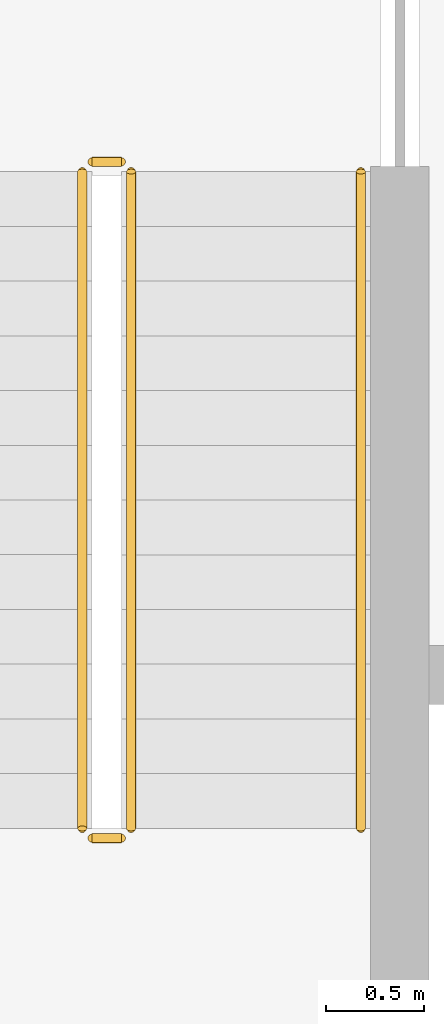
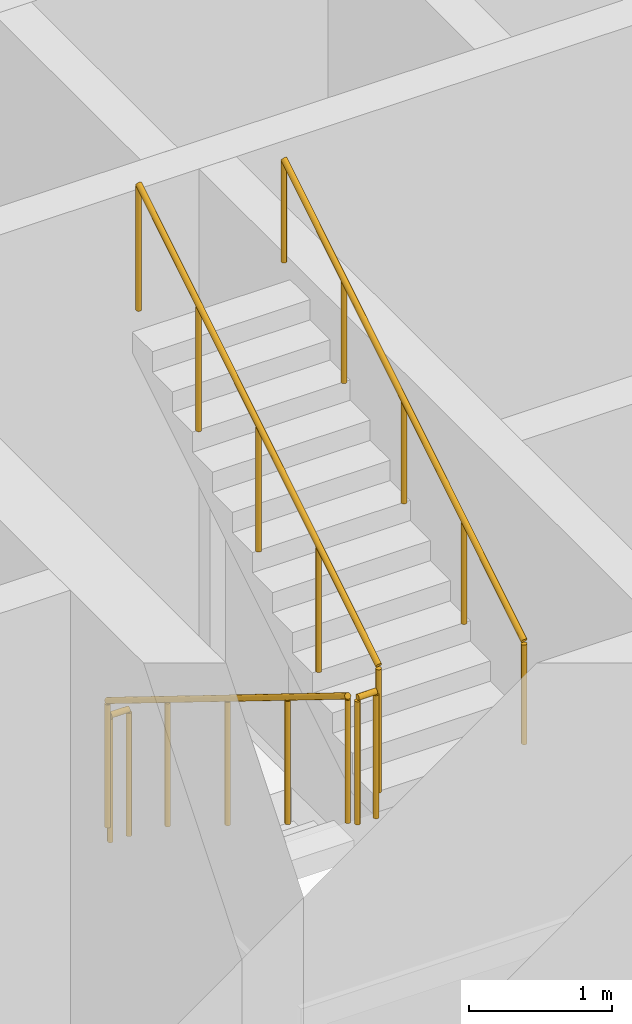
# One storey, part 18 of 22: 5 railings.
"""IFC4 building model written with IfcOpenShell, lengths in metres."""

from ifc_helpers import new_model, si_unit, direction, frame, origin, origin_2d, place, context, subcontext, project, spatial, circle, extrude, material, type_object, element, save


model = new_model("IFC4")

# Units and contexts
model_context = context("Model", 3, precision=1e-05, world=origin(), true_north=direction((0.0, 1.0)))
body_context = subcontext(model_context, "Body", "Model", "MODEL_VIEW")
ifc_project = project(units=[si_unit("LENGTHUNIT", "METRE"), si_unit("AREAUNIT", "SQUARE_METRE"), si_unit("VOLUMEUNIT", "CUBIC_METRE"), si_unit("PLANEANGLEUNIT", "RADIAN"), si_unit("MASSUNIT", "GRAM", prefix="KILO")], contexts=[model_context])

# Site, building, storey
site_placement = place(None, origin())
site = spatial("IfcSite", under=ifc_project, at=site_placement, CompositionType="ELEMENT")
building_placement = place(site_placement, origin())
building = spatial("IfcBuilding", under=site, at=building_placement, Name="Tskaro Facet Tower", CompositionType="ELEMENT")
storey_placement = place(building_placement, frame((0.0, 0.0, 57.60009765625)))
storey = spatial("IfcBuildingStorey", under=building, at=storey_placement, Name="L13", CompositionType="ELEMENT", Elevation=57.60009765625)

# Railings
ifc_material = material(Name="Stainless steel", Category="steel")
railing_type_1 = type_object("IfcRailingType", Name="RL-GUARD-1100", PredefinedType="GUARDRAIL", material=ifc_material)
railing_1_placement = place(storey_placement, frame((-7.625, -6.375, 0.173095703125)))
element("IfcRailing", 1, at=railing_1_placement, inside=storey, type_object=railing_type_1, Name="L13 ST-1 stair guard 1", PredefinedType="GUARDRAIL", context=body_context, shape_type="SweptSolid", body=[
    extrude(circle(Radius=0.02392578125, at=origin_2d()), frame((0.0, 0.0, 1.076171875), z_axis=(0.0, -0.850623216509, 0.525775754039), x_axis=(1.0, 0.0, 0.0)), (0.0, 0.0, 1.0), 3.9501953125),
    extrude(circle(Radius=0.02099609375, at=origin_2d()), origin(), (0.0, 0.0, 1.0), 1.052001953125),
    extrude(circle(Radius=0.02099609375, at=origin_2d()), frame((0.0, -0.840087890625, 0.519287109375)), (0.0, 0.0, 1.0), 1.052001953125),
    extrude(circle(Radius=0.02099609375, at=origin_2d()), frame((0.0, -1.68017578125, 1.03857421875)), (0.0, 0.0, 1.0), 1.052001953125),
    extrude(circle(Radius=0.02099609375, at=origin_2d()), frame((0.0, -2.52001953125, 1.5576171875)), (0.0, 0.0, 1.0), 1.052001953125),
    extrude(circle(Radius=0.02099609375, at=origin_2d()), frame((0.0, -3.360107421875, 2.076904296875)), (0.0, 0.0, 1.0), 1.052001953125),
])
railing_2_placement = place(storey_placement, frame((-7.574951171875, -9.784912109375, 2.25)))
element("IfcRailing", 2, at=railing_2_placement, inside=storey, type_object=railing_type_1, Name="L13 ST-1 stair guard 2", PredefinedType="GUARDRAIL", context=body_context, shape_type="SweptSolid", body=[
    extrude(circle(Radius=0.02392578125, at=origin_2d()), frame((0.0, 0.0, 1.076171875), z_axis=(1.0, 0.0, 0.0), x_axis=(0.0, 1.0, 0.0)), (0.0, 0.0, 1.0), 0.14990234375),
    extrude(circle(Radius=0.02099609375, at=origin_2d()), origin(), (0.0, 0.0, 1.0), 1.052001953125),
    extrude(circle(Radius=0.02099609375, at=origin_2d()), frame((0.14990234375, 0.0, 0.0)), (0.0, 0.0, 1.0), 1.052001953125),
])
railing_3_placement = place(storey_placement, frame((-7.375, -9.735107421875, 2.423095703125)))
element("IfcRailing", 3, at=railing_3_placement, inside=storey, type_object=railing_type_1, Name="L13 ST-1 stair guard 3", PredefinedType="GUARDRAIL", context=body_context, shape_type="SweptSolid", body=[
    extrude(circle(Radius=0.02392578125, at=origin_2d()), frame((0.0, 0.0, 1.076171875), z_axis=(0.0, 0.850623216509, 0.525775754039), x_axis=(-1.0, 0.0, 0.0)), (0.0, 0.0, 1.0), 3.9501953125),
    extrude(circle(Radius=0.02099609375, at=origin_2d()), origin(), (0.0, 0.0, 1.0), 1.052001953125),
    extrude(circle(Radius=0.02099609375, at=origin_2d()), frame((0.0, 0.840087890625, 0.519287109375)), (0.0, 0.0, 1.0), 1.052001953125),
    extrude(circle(Radius=0.02099609375, at=origin_2d()), frame((0.0, 1.68017578125, 1.03857421875)), (0.0, 0.0, 1.0), 1.052001953125),
    extrude(circle(Radius=0.02099609375, at=origin_2d()), frame((0.0, 2.52001953125, 1.5576171875)), (0.0, 0.0, 1.0), 1.052001953125),
    extrude(circle(Radius=0.02099609375, at=origin_2d()), frame((0.0, 3.360107421875, 2.076904296875)), (0.0, 0.0, 1.0), 1.052001953125),
])
railing_4_placement = place(storey_placement, frame((-7.574951171875, -6.324951171875, 0.0)))
element("IfcRailing", 4, at=railing_4_placement, inside=storey, type_object=railing_type_1, Name="L13 ST-1 stair guard 4", PredefinedType="GUARDRAIL", context=body_context, shape_type="SweptSolid", body=[
    extrude(circle(Radius=0.02392578125, at=origin_2d()), frame((0.0, 0.0, 1.076171875), z_axis=(1.0, 0.0, 0.0), x_axis=(0.0, 1.0, 0.0)), (0.0, 0.0, 1.0), 0.14990234375),
    extrude(circle(Radius=0.02099609375, at=origin_2d()), origin(), (0.0, 0.0, 1.0), 1.052001953125),
    extrude(circle(Radius=0.02099609375, at=origin_2d()), frame((0.14990234375, 0.0, 0.0)), (0.0, 0.0, 1.0), 1.052001953125),
])
railing_type_2 = type_object("IfcRailingType", Name="RL-HANDRAIL-900", PredefinedType="HANDRAIL", material=ifc_material)
railing_5_placement = place(storey_placement, frame((-6.199951171875, -9.735107421875, 2.423095703125)))
element("IfcRailing", 5, at=railing_5_placement, inside=storey, type_object=railing_type_2, Name="L13 ST-1 stair handrail 2", PredefinedType="HANDRAIL", context=body_context, shape_type="SweptSolid", body=[
    extrude(circle(Radius=0.02392578125, at=origin_2d()), frame((0.0, 0.0, 0.8759765625), z_axis=(0.0, 0.850623216509, 0.525775754039), x_axis=(-1.0, 0.0, 0.0)), (0.0, 0.0, 1.0), 3.9501953125),
    extrude(circle(Radius=0.02099609375, at=origin_2d()), origin(), (0.0, 0.0, 1.0), 0.851806640625),
    extrude(circle(Radius=0.02099609375, at=origin_2d()), frame((0.0, 0.840087890625, 0.519287109375)), (0.0, 0.0, 1.0), 0.851806640625),
    extrude(circle(Radius=0.02099609375, at=origin_2d()), frame((0.0, 1.68017578125, 1.03857421875)), (0.0, 0.0, 1.0), 0.851806640625),
    extrude(circle(Radius=0.02099609375, at=origin_2d()), frame((0.0, 2.52001953125, 1.5576171875)), (0.0, 0.0, 1.0), 0.851806640625),
    extrude(circle(Radius=0.02099609375, at=origin_2d()), frame((0.0, 3.360107421875, 2.076904296875)), (0.0, 0.0, 1.0), 0.851806640625),
])

save(model, "model.ifc")
